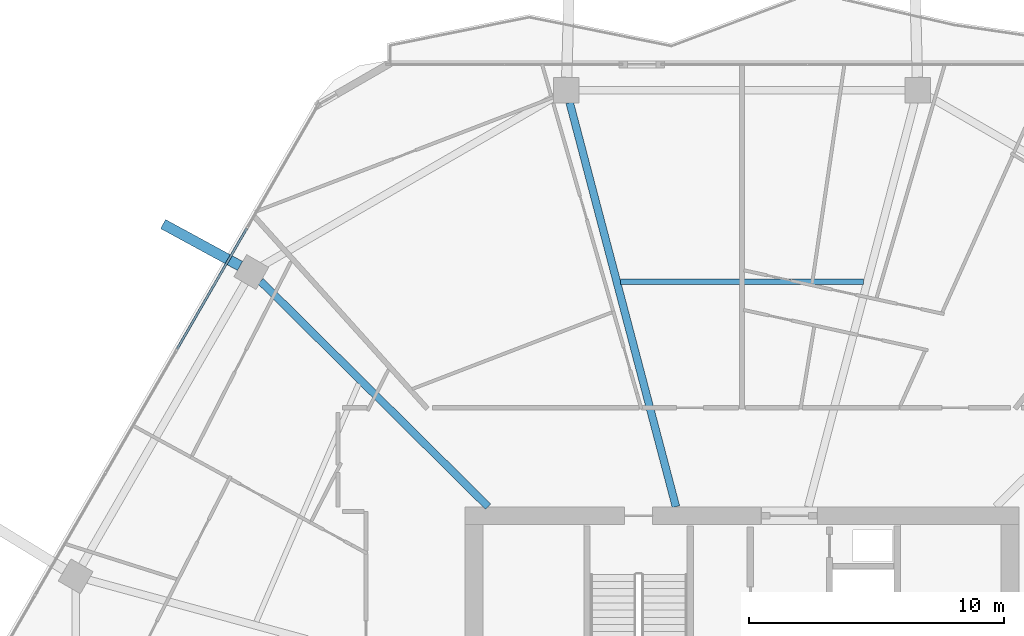
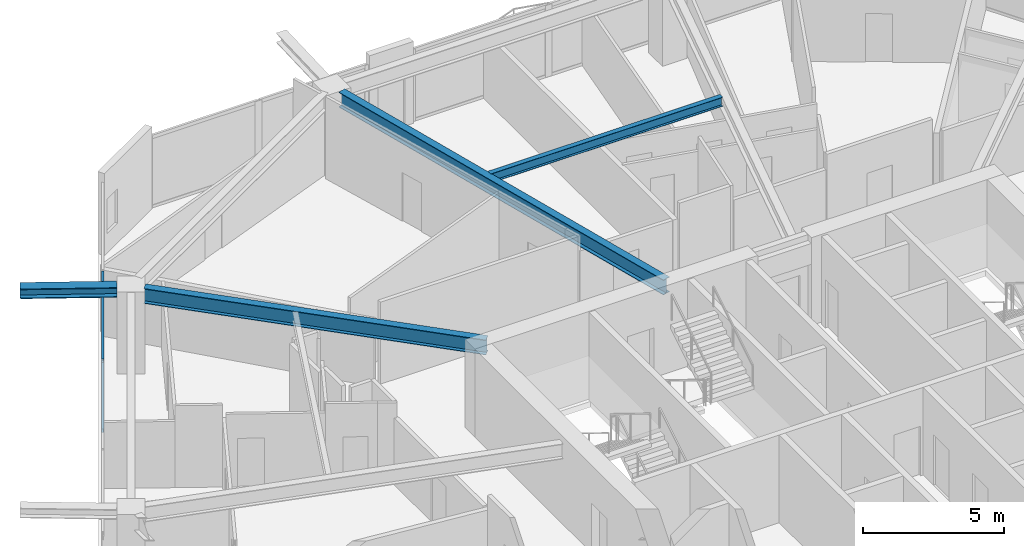
# One storey, part 11 of 25: 4 beams, 2 members, 1 element without a shape of its own.
"""IFC4 building model written with IfcOpenShell, lengths in metres."""

from ifc_helpers import new_model, si_unit, direction, frame, origin, origin_2d, place, context, subcontext, project, spatial, hollow_rectangle, i_section, extrude, material, material_profile, profile_set, type_object, element, aggregate, save


model = new_model("IFC4")

# Units and contexts
model_context = context("Model", 3, precision=1e-05, world=origin(), true_north=direction((0.0, 1.0)))
body_context = subcontext(model_context, "Body", "Model", "MODEL_VIEW")
ifc_project = project(units=[si_unit("LENGTHUNIT", "METRE"), si_unit("AREAUNIT", "SQUARE_METRE"), si_unit("VOLUMEUNIT", "CUBIC_METRE"), si_unit("PLANEANGLEUNIT", "RADIAN"), si_unit("MASSUNIT", "GRAM", prefix="KILO")], contexts=[model_context])

# Site, building, storey
site_placement = place(None, origin())
site = spatial("IfcSite", under=ifc_project, at=site_placement, CompositionType="ELEMENT")
building_placement = place(site_placement, origin())
building = spatial("IfcBuilding", under=site, at=building_placement, Name="Zuhravey Tower", CompositionType="ELEMENT")
storey_placement = place(building_placement, frame((0.0, 0.0, 150.39990234375)))
storey = spatial("IfcBuildingStorey", under=building, at=storey_placement, Name="L37", CompositionType="ELEMENT", Elevation=150.39990234375)

# Curtain wall, members
ifc_material_1 = material(Name="Thermally broken anodised aluminium", Category="aluminium")
curtain_wall_type = type_object("IfcCurtainWallType", Name="Zone 1-2 Residential Curtain Wall CW3", PredefinedType="NOTDEFINED", material=ifc_material_1)
curtain_wall_placement = place(storey_placement, origin())
curtain_wall = element("IfcCurtainWall", 1, at=curtain_wall_placement, inside=storey, type_object=curtain_wall_type, Name="L37 CW3 CW-L37-F3-1", PredefinedType="NOTDEFINED")
ifc_material_2 = material(Name="Anodised aluminium", Category="aluminium")
ifc_material_profile_1 = material_profile(ifc_material_2, hollow_rectangle(XDim=0.090087890625, YDim=0.14990234375, WallThickness=0.0048828125, at=origin_2d()), Name="ALU-RHS-90x150x5")
ifc_profile_set_1 = profile_set([ifc_material_profile_1], Name="Anodised aluminium")
member_type = type_object("IfcMemberType", Name="Curtain-Wall Transom 90x150", PredefinedType="USERDEFINED", material=ifc_profile_set_1)
member_1_placement = place(storey_placement, frame((13.867431640625, 48.03125, 0.045166015625), z_axis=(0.49996138257, 0.86604769842, 0.0), x_axis=(-0.86604769842, 0.49996138257, 0.0)))
member_1 = element("IfcMember", 2, at=member_1_placement, type_object=member_type, Name="CW3 transom 4.1", ObjectType="TRANSOM", PredefinedType="USERDEFINED", context=body_context, shape_type="SweptSolid", body=[
    extrude(hollow_rectangle(XDim=0.090087890625, YDim=0.14990234375, WallThickness=0.0048828125, at=origin_2d()), origin(), (0.0, 0.0, 1.0), 5.45458984375),
])
member_2_placement = place(storey_placement, frame((13.867431640625, 48.03125, 3.0771484375), z_axis=(0.49996138257, 0.86604769842, 0.0), x_axis=(-0.86604769842, 0.49996138257, 0.0)))
member_2 = element("IfcMember", 3, at=member_2_placement, type_object=member_type, Name="CW3 transom 4.2", ObjectType="TRANSOM", PredefinedType="USERDEFINED", context=body_context, shape_type="SweptSolid", body=[
    extrude(hollow_rectangle(XDim=0.090087890625, YDim=0.14990234375, WallThickness=0.0048828125, at=origin_2d()), origin(), (0.0, 0.0, 1.0), 5.45458984375),
])
aggregate(curtain_wall, [member_1, member_2])

# Beams
ifc_material_3 = material(Name="Steel SM460", Category="steel")
ifc_material_profile_2 = material_profile(ifc_material_3, i_section(OverallWidth=0.406982421875, OverallDepth=0.427978515625, WebThickness=0.02001953125, FlangeThickness=0.034912109375, at=origin_2d()), Name="H-428x407x20x35")
ifc_profile_set_2 = profile_set([ifc_material_profile_2], Name="Steel SM460")
beam_type_1 = type_object("IfcBeamType", Name="Exoskeleton Node Tie Beam H428x407", PredefinedType="BEAM", material=ifc_profile_set_2)
beam_1_placement = place(storey_placement, frame((16.33154296875, 51.287353515625, 3.336181640625), z_axis=(-0.878549889521, 0.477650595752, 0.0), x_axis=(-0.477650595752, -0.878549889521, 0.0)))
element("IfcBeam", 4, at=beam_1_placement, inside=storey, type_object=beam_type_1, Name="L37 Exoskeleton Node Tie NT1-05", PredefinedType="BEAM", context=body_context, shape_type="SweptSolid", body=[
    extrude(i_section(OverallWidth=0.406982421875, OverallDepth=0.427978515625, WebThickness=0.02001953125, FlangeThickness=0.034912109375, at=origin_2d()), origin(), (0.0, 0.0, 1.0), 3.43212890625),
])
ifc_material_4 = material(Name="Steel SM355", Category="steel")
ifc_material_profile_3 = material_profile(ifc_material_4, i_section(OverallWidth=0.300048828125, OverallDepth=0.64990234375, WebThickness=0.012939453125, FlangeThickness=0.02197265625, at=origin_2d()), Name="H-650x300x13x22")
ifc_profile_set_3 = profile_set([ifc_material_profile_3], Name="Steel SM355")
beam_type_2 = type_object("IfcBeamType", Name="Radial Primary Girder H650x300", PredefinedType="BEAM", material=ifc_profile_set_3)
beam_2_placement = place(storey_placement, frame((33.4091796875, 41.85302734375, 3.22509765625), z_axis=(-0.254300244998, 0.967125320418, 0.0), x_axis=(-0.967125320418, -0.254300244998, 0.0)))
element("IfcBeam", 5, at=beam_2_placement, inside=storey, type_object=beam_type_2, Name="L37 RG2 BM-L37-RAD-04", PredefinedType="BEAM", context=body_context, shape_type="SweptSolid", body=[
    extrude(i_section(OverallWidth=0.300048828125, OverallDepth=0.64990234375, WebThickness=0.012939453125, FlangeThickness=0.02197265625, at=origin_2d()), origin(), (0.0, 0.0, 1.0), 16.371826171875),
])
beam_3_placement = place(storey_placement, frame((26.054443359375, 41.85302734375, 3.22509765625), z_axis=(-0.71040353357, 0.703794586148, 0.0), x_axis=(-0.703794586148, -0.71040353357, 0.0)))
element("IfcBeam", 6, at=beam_3_placement, inside=storey, type_object=beam_type_2, Name="L37 RG2 BM-L37-RAD-05", PredefinedType="BEAM", context=body_context, shape_type="SweptSolid", body=[
    extrude(i_section(OverallWidth=0.300048828125, OverallDepth=0.64990234375, WebThickness=0.012939453125, FlangeThickness=0.02197265625, at=origin_2d()), origin(), (0.0, 0.0, 1.0), 12.559814453125),
])
ifc_material_profile_4 = material_profile(ifc_material_4, i_section(OverallWidth=0.199951171875, OverallDepth=0.39990234375, WebThickness=0.008056640625, FlangeThickness=0.012939453125, at=origin_2d()), Name="H-400x200x8x13")
ifc_profile_set_4 = profile_set([ifc_material_profile_4], Name="Steel SM355")
beam_type_3 = type_object("IfcBeamType", Name="Secondary Floor Joist H400x200", PredefinedType="JOIST", material=ifc_profile_set_4)
beam_4_placement = place(storey_placement, frame((40.754150390625, 50.665771484375, 3.35009765625), z_axis=(-1.0, 0.0, 0.0), x_axis=(0.0, -1.0, 0.0)))
element("IfcBeam", 7, at=beam_4_placement, inside=storey, type_object=beam_type_3, Name="L37 SJ2 BM-L37-SJ-03-1", PredefinedType="JOIST", context=body_context, shape_type="SweptSolid", body=[
    extrude(i_section(OverallWidth=0.199951171875, OverallDepth=0.39990234375, WebThickness=0.008056640625, FlangeThickness=0.012939453125, at=origin_2d()), origin(), (0.0, 0.0, 1.0), 9.50830078125),
])

save(model, "model.ifc")
